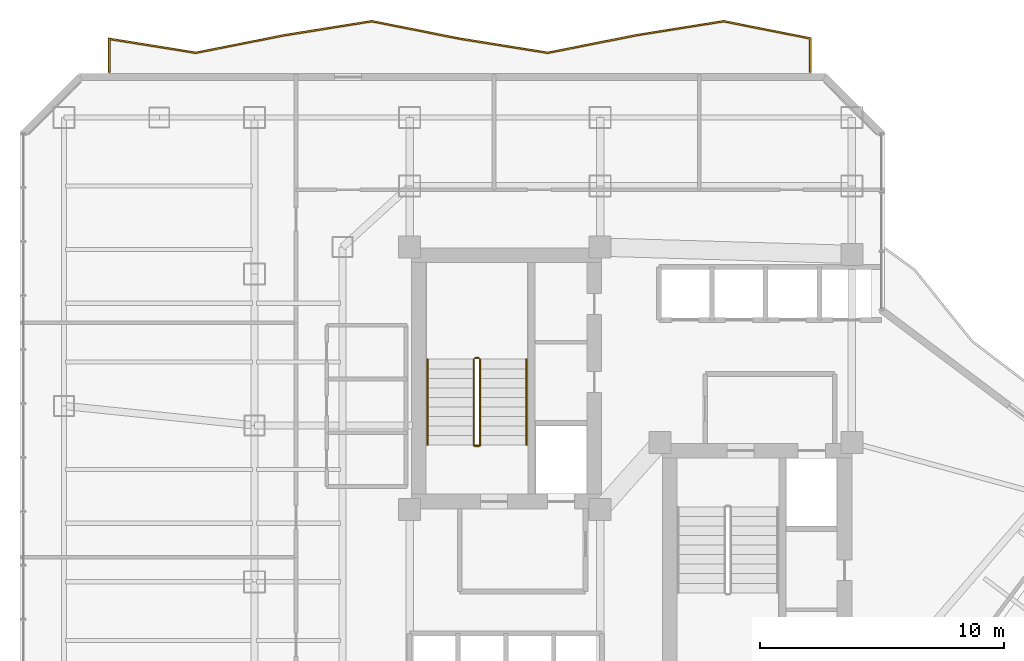
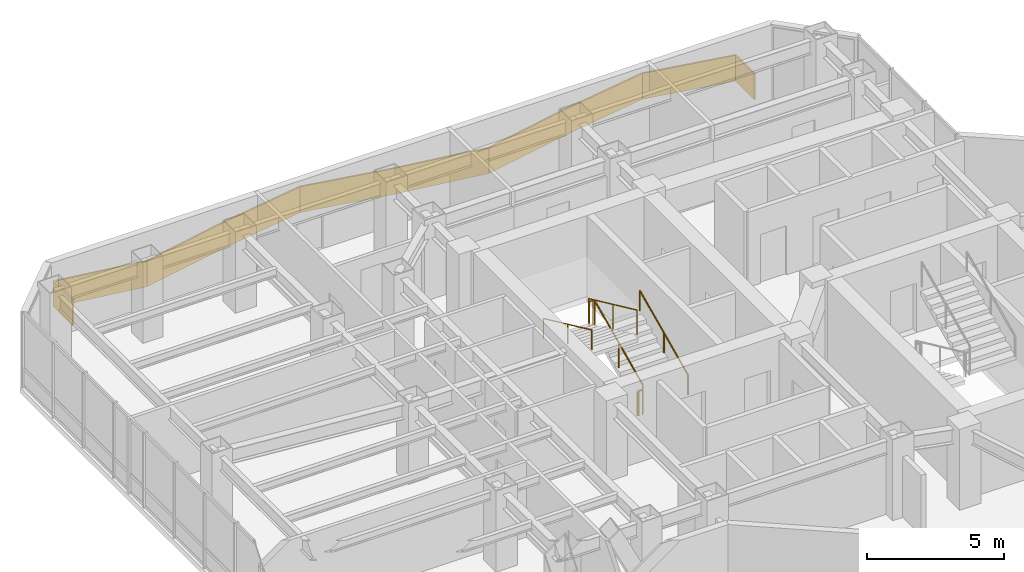
# One storey, part 29 of 30: 8 railings.
"""IFC4 building model written with IfcOpenShell, lengths in metres."""

from ifc_helpers import new_model, si_unit, direction, frame, origin, origin_2d, place, context, subcontext, project, spatial, polyline, circle, outline, extrude, material, layer, layer_set, type_object, element, save


model = new_model("IFC4")

# Units and contexts
model_context = context("Model", 3, precision=1e-05, world=origin(), true_north=direction((0.0, 1.0)))
body_context = subcontext(model_context, "Body", "Model", "MODEL_VIEW")
ifc_project = project(units=[si_unit("LENGTHUNIT", "METRE"), si_unit("AREAUNIT", "SQUARE_METRE"), si_unit("VOLUMEUNIT", "CUBIC_METRE"), si_unit("PLANEANGLEUNIT", "RADIAN"), si_unit("MASSUNIT", "GRAM", prefix="KILO")], contexts=[model_context])

# Site, building, storey
site_placement = place(None, origin())
site = spatial("IfcSite", under=ifc_project, at=site_placement, CompositionType="ELEMENT")
building_placement = place(site_placement, origin())
building = spatial("IfcBuilding", under=site, at=building_placement, Name="Hatsunagi Terrace Concourse", CompositionType="ELEMENT")
storey_placement = place(building_placement, frame((0.0, 0.0, 101.25)))
storey = spatial("IfcBuildingStorey", under=building, at=storey_placement, Name="L26", CompositionType="ELEMENT", Elevation=101.25)

# Railings
ifc_material_1 = material(Name="Laminated Glass and Stainless Steel Guard", Category="steel")
ifc_layer_1 = layer(ifc_material_1, 0.070068359375)
ifc_layer_set_1 = layer_set([ifc_layer_1], Name="BalconyGlassGuardRail_1150")
railing_type_1 = type_object("IfcRailingType", Name="BalconyGlassGuardRail_1150", PredefinedType="BALUSTRADE", material=ifc_layer_set_1)
railing_1_placement = place(storey_placement, origin())
element("IfcRailing", 1, at=railing_1_placement, inside=storey, type_object=railing_type_1, Name="Engawa Balcony Guard GRD-01 L26-BN-1", PredefinedType="BALUSTRADE", context=body_context, shape_type="SweptSolid", body=[
    extrude(outline(polyline([(13.215087890625, 50.449951171875), (13.284912109375, 50.449951171875), (13.284912109375, 51.781982421875), (16.8017578125, 51.21728515625), (20.415283203125, 51.9345703125), (23.998291015625, 52.509521484375), (27.584716796875, 51.798583984375), (31.20166015625, 51.21728515625), (34.815185546875, 51.9345703125), (38.398193359375, 52.509521484375), (41.9150390625, 51.812255859375), (41.9150390625, 50.449951171875), (41.985107421875, 50.449951171875), (41.985107421875, 51.86962890625), (38.399658203125, 52.58056640625), (34.802734375, 52.00341796875), (31.2001953125, 51.28857421875), (27.59716796875, 51.867431640625), (23.999755859375, 52.58056640625), (20.40283203125, 52.00341796875), (16.80029296875, 51.28857421875), (13.215087890625, 51.864013671875), (13.215087890625, 50.449951171875)])), origin(), (0.0, 0.0, 1.0), 1.14990234375),
])
ifc_material_2 = material(Name="Stainless steel", Category="steel")
ifc_layer_2 = layer(ifc_material_2, 0.044921875)
ifc_layer_set_2 = layer_set([ifc_layer_2], Name="StairPitchHandrail_Tower2000")
railing_type_2 = type_object("IfcRailingType", Name="StairPitchHandrail_Tower2000", PredefinedType="HANDRAIL", material=ifc_layer_set_2)
railing_2_placement = place(storey_placement, frame((30.330078125, 35.199951171875, 0.179931640625)))
element("IfcRailing", 2, at=railing_2_placement, inside=storey, type_object=railing_type_2, Name="L26 ST-A stair handrail 1", PredefinedType="HANDRAIL", context=body_context, shape_type="SweptSolid", body=[
    extrude(circle(Radius=0.02392578125, at=origin_2d()), frame((0.0, 0.0, 0.8759765625), z_axis=(0.0, 0.907948293929, 0.419082206198), x_axis=(-1.0, 0.0, 0.0)), (0.0, 0.0, 1.0), 3.865966796875),
    extrude(circle(Radius=0.02099609375, at=origin_2d()), origin(), (0.0, 0.0, 1.0), 0.851806640625),
    extrude(circle(Radius=0.02099609375, at=origin_2d()), frame((0.0, 1.7548828125, 0.81005859375)), (0.0, 0.0, 1.0), 0.851806640625),
    extrude(circle(Radius=0.02099609375, at=origin_2d()), frame((0.0, 3.510009765625, 1.6201171875)), (0.0, 0.0, 1.0), 0.851806640625),
])
railing_3_placement = place(storey_placement, frame((26.280029296875, 38.7099609375, 1.97998046875)))
element("IfcRailing", 3, at=railing_3_placement, inside=storey, type_object=railing_type_2, Name="L26 ST-A stair handrail 2", PredefinedType="HANDRAIL", context=body_context, shape_type="SweptSolid", body=[
    extrude(circle(Radius=0.02392578125, at=origin_2d()), frame((0.0, 0.0, 0.8759765625), z_axis=(0.0, -0.907948293929, 0.419082206198), x_axis=(1.0, 0.0, 0.0)), (0.0, 0.0, 1.0), 3.865966796875),
    extrude(circle(Radius=0.02099609375, at=origin_2d()), origin(), (0.0, 0.0, 1.0), 0.851806640625),
    extrude(circle(Radius=0.02099609375, at=origin_2d()), frame((0.0, -1.7548828125, 0.81005859375)), (0.0, 0.0, 1.0), 0.851806640625),
    extrude(circle(Radius=0.02099609375, at=origin_2d()), frame((0.0, -3.510009765625, 1.6201171875)), (0.0, 0.0, 1.0), 0.851806640625),
])
ifc_material_3 = material(Name="Stainless steel", Category="steel")
ifc_layer_3 = layer(ifc_material_3, 0.06005859375)
ifc_layer_set_3 = layer_set([ifc_layer_3], Name="StairWellGuard_Tower2000")
railing_type_3 = type_object("IfcRailingType", Name="StairWellGuard_Tower2000", PredefinedType="BALUSTRADE", material=ifc_layer_set_3)
railing_4_placement = place(storey_placement, frame((28.429931640625, 35.199951171875, 0.179931640625)))
element("IfcRailing", 4, at=railing_4_placement, inside=storey, type_object=railing_type_3, Name="L26 ST-A stair guard 1", PredefinedType="BALUSTRADE", context=body_context, shape_type="SweptSolid", body=[
    extrude(circle(Radius=0.02392578125, at=origin_2d()), frame((0.0, 0.0, 1.09619140625), z_axis=(0.0, 0.907948293929, 0.419082206198), x_axis=(-1.0, 0.0, 0.0)), (0.0, 0.0, 1.0), 3.865966796875),
    extrude(circle(Radius=0.02099609375, at=origin_2d()), origin(), (0.0, 0.0, 1.0), 1.072021484375),
    extrude(circle(Radius=0.02099609375, at=origin_2d()), frame((0.0, 1.7548828125, 0.81005859375)), (0.0, 0.0, 1.0), 1.072021484375),
    extrude(circle(Radius=0.02099609375, at=origin_2d()), frame((0.0, 3.510009765625, 1.6201171875)), (0.0, 0.0, 1.0), 1.072021484375),
])
railing_5_placement = place(storey_placement, frame((28.3798828125, 38.760009765625, 1.800048828125)))
element("IfcRailing", 5, at=railing_5_placement, inside=storey, type_object=railing_type_3, Name="L26 ST-A stair guard 2", PredefinedType="BALUSTRADE", context=body_context, shape_type="SweptSolid", body=[
    extrude(circle(Radius=0.02392578125, at=origin_2d()), frame((0.0, 0.0, 1.09619140625), z_axis=(-1.0, 0.0, 0.0), x_axis=(0.0, -1.0, 0.0)), (0.0, 0.0, 1.0), 0.14990234375),
    extrude(circle(Radius=0.02099609375, at=origin_2d()), origin(), (0.0, 0.0, 1.0), 1.072021484375),
    extrude(circle(Radius=0.02099609375, at=origin_2d()), frame((-0.14990234375, 0.0, 0.0)), (0.0, 0.0, 1.0), 1.072021484375),
])
railing_6_placement = place(storey_placement, frame((28.179931640625, 38.7099609375, 1.97998046875)))
element("IfcRailing", 6, at=railing_6_placement, inside=storey, type_object=railing_type_3, Name="L26 ST-A stair guard 3", PredefinedType="BALUSTRADE", context=body_context, shape_type="SweptSolid", body=[
    extrude(circle(Radius=0.02392578125, at=origin_2d()), frame((0.0, 0.0, 1.09619140625), z_axis=(0.0, -0.907948293929, 0.419082206198), x_axis=(1.0, 0.0, 0.0)), (0.0, 0.0, 1.0), 3.865966796875),
    extrude(circle(Radius=0.02099609375, at=origin_2d()), origin(), (0.0, 0.0, 1.0), 1.072021484375),
    extrude(circle(Radius=0.02099609375, at=origin_2d()), frame((0.0, -1.7548828125, 0.81005859375)), (0.0, 0.0, 1.0), 1.072021484375),
    extrude(circle(Radius=0.02099609375, at=origin_2d()), frame((0.0, -3.510009765625, 1.6201171875)), (0.0, 0.0, 1.0), 1.072021484375),
])
railing_7_placement = place(storey_placement, frame((28.3798828125, 35.14990234375, 0.0)))
element("IfcRailing", 7, at=railing_7_placement, inside=storey, type_object=railing_type_3, Name="L26 ST-A stair guard 4", PredefinedType="BALUSTRADE", context=body_context, shape_type="SweptSolid", body=[
    extrude(circle(Radius=0.02392578125, at=origin_2d()), frame((0.0, 0.0, 1.09619140625), z_axis=(-1.0, 0.0, 0.0), x_axis=(0.0, -1.0, 0.0)), (0.0, 0.0, 1.0), 0.14990234375),
    extrude(circle(Radius=0.02099609375, at=origin_2d()), origin(), (0.0, 0.0, 1.0), 1.072021484375),
    extrude(circle(Radius=0.02099609375, at=origin_2d()), frame((-0.14990234375, 0.0, 0.0)), (0.0, 0.0, 1.0), 1.072021484375),
])
ifc_material_4 = material(Name="Stainless Steel SUS316 Post-and-Rail Guard", Category="steel")
ifc_layer_4 = layer(ifc_material_4, 0.080078125)
ifc_layer_set_4 = layer_set([ifc_layer_4], Name="TerracePlantedGuardRail_1200")
railing_type_4 = type_object("IfcRailingType", Name="TerracePlantedGuardRail_1200", PredefinedType="GUARDRAIL", material=ifc_layer_set_4)
railing_8_placement = place(storey_placement, frame((28.179931640625, 35.179931640625, 0.0)))
element("IfcRailing", 8, at=railing_8_placement, inside=storey, type_object=railing_type_4, Name="Stair ST-A Well Closure Guard L26", PredefinedType="GUARDRAIL", context=body_context, shape_type="SweptSolid", body=[
    extrude(circle(Radius=0.02392578125, at=origin_2d()), frame((0.0, 0.0, 1.09619140625), z_axis=(1.0, 0.0, 0.0), x_axis=(0.0, 1.0, 0.0)), (0.0, 0.0, 1.0), 0.25),
    extrude(circle(Radius=0.02099609375, at=origin_2d()), origin(), (0.0, 0.0, 1.0), 1.072021484375),
    extrude(circle(Radius=0.02099609375, at=origin_2d()), frame((0.25, 0.0, 0.0)), (0.0, 0.0, 1.0), 1.072021484375),
])

save(model, "model.ifc")
